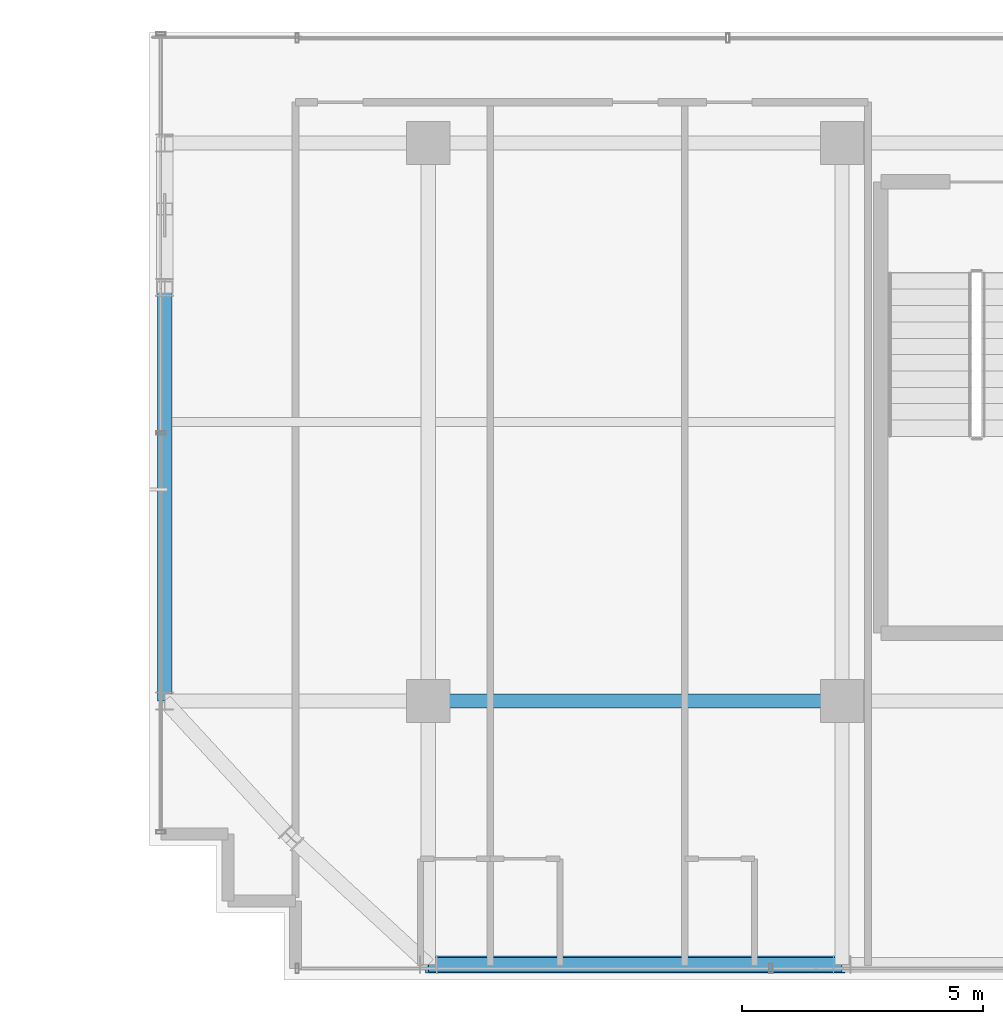
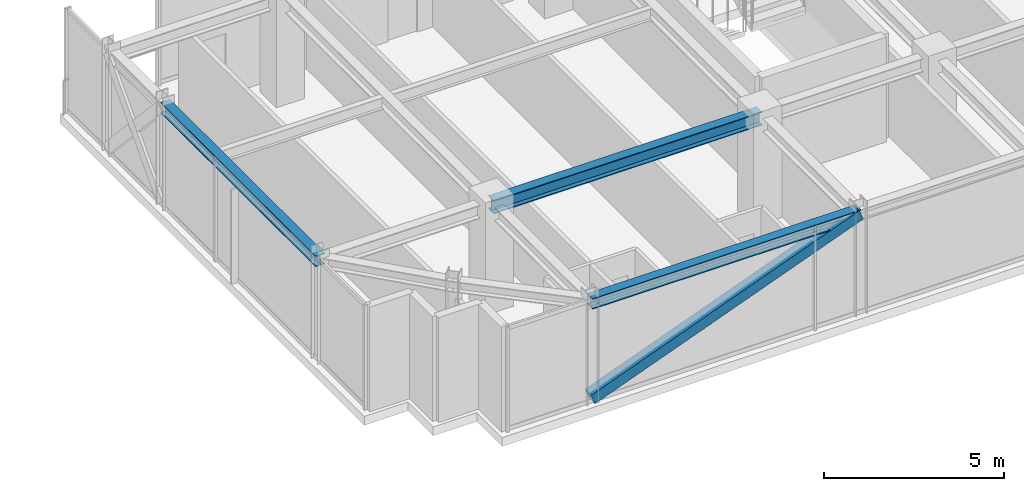
# One storey, part 5 of 41: 3 beams, 1 member.
"""IFC4 building model written with IfcOpenShell, lengths in metres."""

from ifc_helpers import new_model, si_unit, direction, frame, origin, origin_2d, place, context, subcontext, project, spatial, hollow_rectangle, i_section, extrude, source, transform, mapped, material, material_profile, profile_set, type_object, element, save


model = new_model("IFC4")

# Units and contexts
model_context = context("Model", 3, precision=1e-05, world=origin(), true_north=direction((0.0, 1.0)))
body_context = subcontext(model_context, "Body", "Model", "MODEL_VIEW")
ifc_project = project(units=[si_unit("LENGTHUNIT", "METRE"), si_unit("AREAUNIT", "SQUARE_METRE"), si_unit("VOLUMEUNIT", "CUBIC_METRE"), si_unit("PLANEANGLEUNIT", "RADIAN"), si_unit("MASSUNIT", "GRAM", prefix="KILO")], contexts=[model_context])

# Site, building, storey
site_placement = place(None, origin())
site = spatial("IfcSite", under=ifc_project, at=site_placement, CompositionType="ELEMENT")
building_placement = place(site_placement, origin())
building = spatial("IfcBuilding", under=site, at=building_placement, Name="Nahalor Promenade Grand Hotel", CompositionType="ELEMENT")
storey_placement = place(building_placement, frame((0.0, 0.0, 304.199951171875)))
storey = spatial("IfcBuildingStorey", under=building, at=storey_placement, Name="L78", CompositionType="ELEMENT", Elevation=304.199951171875)

# Beams
ifc_material = material(Name="Steel S355JR", Category="steel")
ifc_material_profile_1 = material_profile(ifc_material, i_section(OverallWidth=0.3, OverallDepth=0.45, WebThickness=0.014, FlangeThickness=0.026, at=origin_2d()), Name="HEB 450")
ifc_profile_set_1 = profile_set([ifc_material_profile_1], Name="Steel S355JR")
beam_type_1 = type_object("IfcBeamType", Name="Beam-Girder-HEB450", PredefinedType="BEAM", material=ifc_profile_set_1)
shared_shape_1 = source(origin(), body_context, "Body", "SweptSolid", [
    extrude(i_section(OverallWidth=0.3, OverallDepth=0.45, WebThickness=0.014, FlangeThickness=0.026, at=origin_2d()), origin(), (0.0, 0.0, 1.0), 8.60009765625),
])
beam_placement = place(storey_placement, frame((-17.0, -17.0, 3.324951171875), z_axis=(1.0, 0.0, 0.0), x_axis=(0.0, 1.0, 0.0)))
element("IfcBeam", 1, at=beam_placement, inside=storey, type_object=beam_type_1, Name="BM-L78-GX-0-1", PredefinedType="BEAM", context=body_context, shape_type="MappedRepresentation", body=[
    mapped(shared_shape_1, transform((0.0, 0.0, 0.0), scale=1.0)),
])
ifc_material_profile_2 = material_profile(ifc_material, i_section(OverallWidth=0.3, OverallDepth=0.36, WebThickness=0.0125, FlangeThickness=0.0225, at=origin_2d()), Name="HEB 360")
ifc_profile_set_2 = profile_set([ifc_material_profile_2], Name="Steel S355JR")
beam_type_2 = type_object("IfcBeamType", Name="Beam-Spandrel-HEB360", PredefinedType="SPANDREL", material=ifc_profile_set_2)
shared_shape_2 = source(origin(), body_context, "Body", "SweptSolid", [
    extrude(i_section(OverallWidth=0.3, OverallDepth=0.36, WebThickness=0.0125, FlangeThickness=0.0225, at=origin_2d()), origin(), (0.0, 0.0, 1.0), 8.60009765625),
])
for number, where, z_axis, x_axis, name in (
    (2, (-17.0, -22.47998046875, 3.3701171875), (1.0, 0.0, 0.0), (0.0, 1.0, 0.0), "BM-L78-SP-S-0"),
    (3, (-22.47998046875, -17.0, 3.3701171875), (0.0, 1.0, 0.0), (-1.0, 0.0, 0.0), "BM-L78-SP-W-0"),
):
    element("IfcBeam", number, at=place(storey_placement, frame(where, z_axis=z_axis, x_axis=x_axis)), inside=storey, type_object=beam_type_2, Name=name, PredefinedType="SPANDREL", context=body_context, shape_type="MappedRepresentation", body=[
        mapped(shared_shape_2, transform((0.0, 0.0, 0.0), scale=1.0)),
    ])

# Member
ifc_material_profile_3 = material_profile(ifc_material, hollow_rectangle(XDim=0.35, YDim=0.35, WallThickness=0.02, at=origin_2d()), Name="SHS 350x350x20")
ifc_profile_set_3 = profile_set([ifc_material_profile_3], Name="Steel S355JR")
member_type = type_object("IfcMemberType", Name="Mem-VoidBrace-SHS350", PredefinedType="BRACE", material=ifc_profile_set_3)
shared_shape_3 = source(origin(), body_context, "Body", "SweptSolid", [
    extrude(hollow_rectangle(XDim=0.35, YDim=0.35, WallThickness=0.02, at=origin_2d()), origin(), (0.0, 0.0, 1.0), 9.193603515625),
])
member_placement = place(storey_placement, frame((-17.0, -22.47998046875, 0.150146484375), z_axis=(0.935433460247, 0.0, 0.353502816749), x_axis=(0.0, 1.0, 0.0)))
element("IfcMember", 4, at=member_placement, inside=storey, type_object=member_type, Name="EXO-L78-S-0", PredefinedType="BRACE", context=body_context, shape_type="MappedRepresentation", body=[
    mapped(shared_shape_3, transform((0.0, 0.0, 0.0), scale=1.0)),
])

save(model, "model.ifc")
